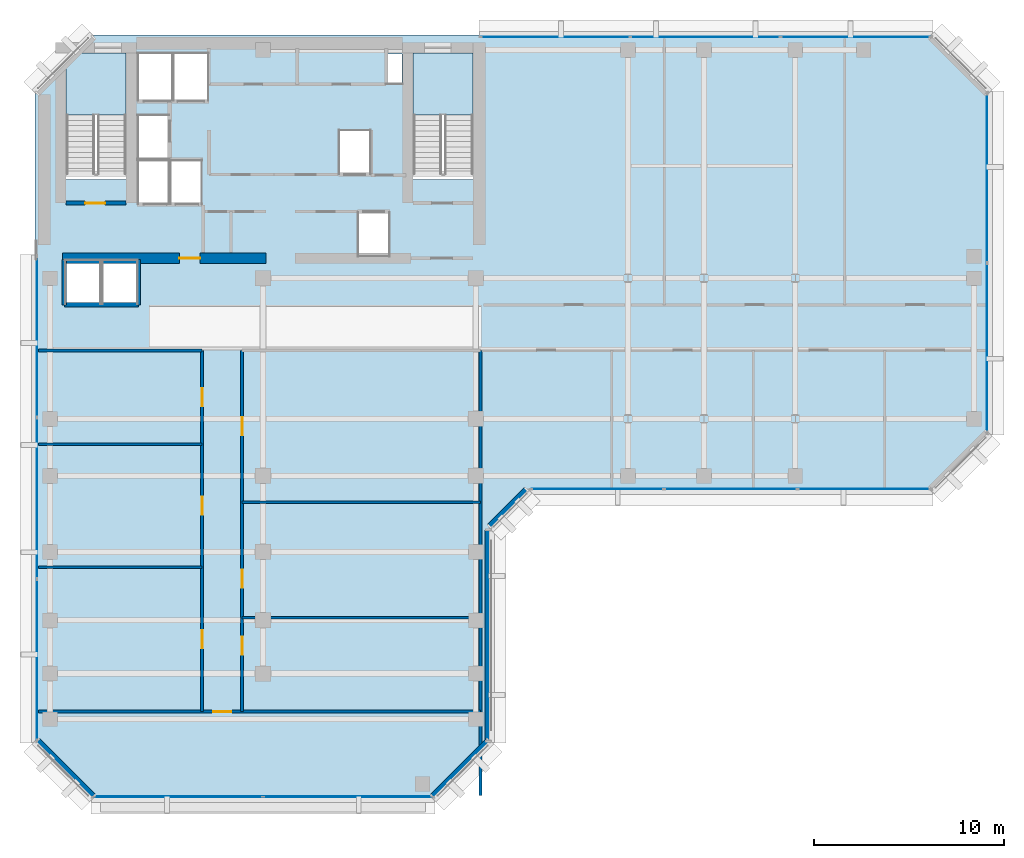
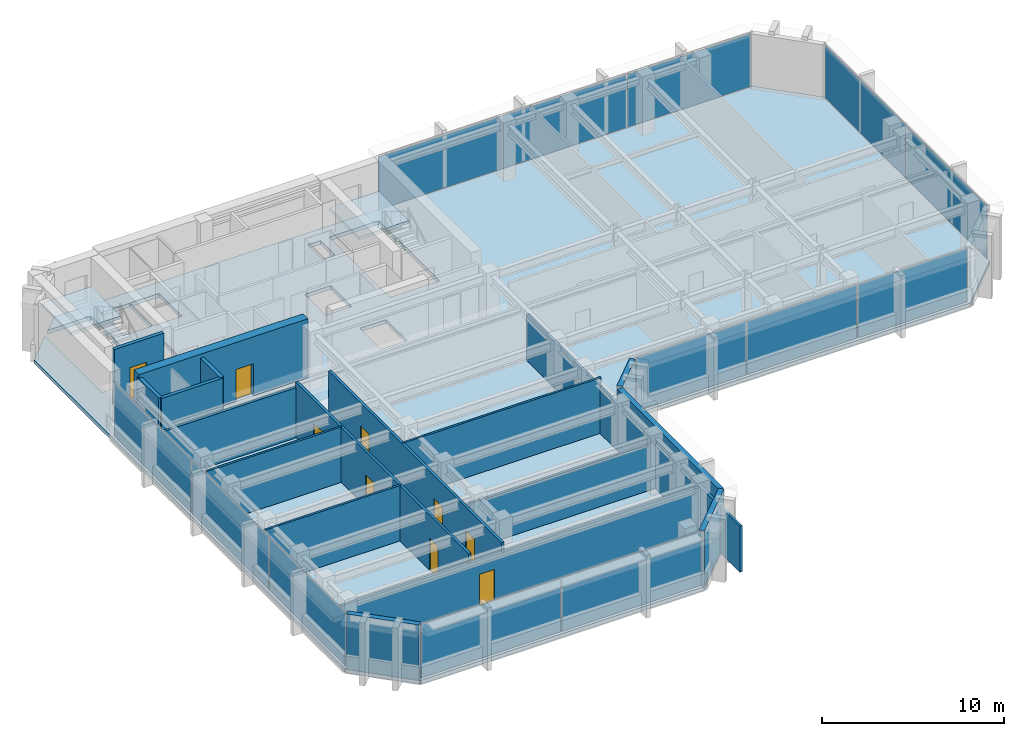
# One storey, part 6 of 12: 18 walls, 13 plates, 9 doors, 3 slabs, 9 openings, 7 elements without a shape of their own.
"""IFC4 building model written with IfcOpenShell, lengths in metres."""

from ifc_helpers import new_model, si_unit, direction, frame, frame_2d, origin, origin_2d, place, context, subcontext, project, spatial, polyline, rectangle, outline, extrude, material, layer, layer_set, type_object, element, fill, aggregate, save


model = new_model("IFC4")

# Units and contexts
model_context = context("Model", 3, precision=1e-05, world=origin(), true_north=direction((0.0, 1.0)))
body_context = subcontext(model_context, "Body", "Model", "MODEL_VIEW")
ifc_project = project(units=[si_unit("LENGTHUNIT", "METRE"), si_unit("AREAUNIT", "SQUARE_METRE"), si_unit("VOLUMEUNIT", "CUBIC_METRE"), si_unit("PLANEANGLEUNIT", "RADIAN"), si_unit("MASSUNIT", "GRAM", prefix="KILO")], contexts=[model_context])

# Site, building, storey
site_placement = place(None, origin())
site = spatial("IfcSite", under=ifc_project, at=site_placement, CompositionType="ELEMENT")
building_placement = place(site_placement, origin())
building = spatial("IfcBuilding", under=site, at=building_placement, Name="Kefirva Bronze Tower", CompositionType="ELEMENT")
storey_placement = place(building_placement, frame((0.0, 0.0, 260.3701171875)))
storey = spatial("IfcBuildingStorey", under=building, at=storey_placement, Name="L63", CompositionType="ELEMENT", Elevation=260.3701171875)

# Stair, slab
ifc_material_1 = material(Name="Concrete C40/50", Category="concrete")
stair_type = type_object("IfcStairType", Name="RC Dogleg Protected Stair 24R", PredefinedType="HALF_TURN_STAIR", material=ifc_material_1)
stair_1_placement = place(storey_placement, origin())
stair_1 = element("IfcStair", 1, at=stair_1_placement, inside=storey, type_object=stair_type, Name="L63 Protected Exit Stair 1", PredefinedType="HALF_TURN_STAIR")
ifc_layer_1 = layer(ifc_material_1, 0.199951171875, Name="Concrete C40/50")
ifc_layer_set_1 = layer_set([ifc_layer_1], Name="Concrete C40/50")
slab_type_1 = type_object("IfcSlabType", Name="RC Stair Landing Slab 200mm", PredefinedType="LANDING", material=ifc_layer_set_1)
slab_1_placement = place(storey_placement, frame((0.0, 0.0, 1.77978515625)))
slab_1 = element("IfcSlab", 2, at=slab_1_placement, type_object=slab_type_1, Name="ST-1 landing 1", PredefinedType="LANDING", context=body_context, shape_type="SweptSolid", body=[
    extrude(outline(polyline([(4.800048828125, 41.780029296875), (4.800048828125, 45.050048828125), (1.64990234375, 45.050048828125), (1.64990234375, 41.780029296875), (4.800048828125, 41.780029296875)])), origin(), (0.0, 0.0, 1.0), 0.2001953125),
])
aggregate(stair_1, [slab_1])

stair_2_placement = place(storey_placement, origin())
stair_2 = element("IfcStair", 3, at=stair_2_placement, inside=storey, type_object=stair_type, Name="L63 Protected Exit Stair 2", PredefinedType="HALF_TURN_STAIR")
slab_2_placement = place(storey_placement, frame((0.0, 0.0, 1.77978515625)))
slab_2 = element("IfcSlab", 4, at=slab_2_placement, type_object=slab_type_1, Name="ST-2 landing 1", PredefinedType="LANDING", context=body_context, shape_type="SweptSolid", body=[
    extrude(outline(polyline([(23.050048828125, 41.780029296875), (23.050048828125, 45.050048828125), (19.89990234375, 45.050048828125), (19.89990234375, 41.780029296875), (23.050048828125, 41.780029296875)])), origin(), (0.0, 0.0, 1.0), 0.2001953125),
])
aggregate(stair_2, [slab_2])

# Slab
ifc_layer_2 = layer(ifc_material_1, 0.25, Name="Concrete C40/50")
ifc_layer_set_2 = layer_set([ifc_layer_2], Name="Concrete C40/50")
slab_type_2 = type_object("IfcSlabType", Name="RC Tower Floor Slab 250mm", PredefinedType="FLOOR", material=ifc_layer_set_2)
slab_3_placement = place(storey_placement, frame((0.0, 0.0, -0.25)))
element("IfcSlab", 5, at=slab_3_placement, inside=storey, type_object=slab_type_2, Name="L63 Structural Floor Slab", PredefinedType="FLOOR", context=body_context, shape_type="SweptSolid", body=[
    extrude(outline(polyline([(0.0, 8.800048828125), (0.0, 43.0), (1.64990234375, 44.64990234375), (1.64990234375, 38.39990234375), (4.800048828125, 38.39990234375), (4.800048828125, 45.050048828125), (2.050048828125, 45.050048828125), (3.0, 46.0), (47.199951171875, 46.0), (50.199951171875, 43.0), (50.199951171875, 25.0), (47.199951171875, 22.0), (26.0, 22.0), (24.0, 20.0), (24.0, 8.800048828125), (21.0, 5.800048828125), (3.0, 5.800048828125), (0.0, 8.800048828125)]), holes=[polyline([(23.050048828125, 45.050048828125), (19.89990234375, 45.050048828125), (19.89990234375, 38.39990234375), (23.050048828125, 38.39990234375), (23.050048828125, 45.050048828125)]), polyline([(19.320068359375, 43.419921875), (19.320068359375, 45.0), (18.52001953125, 45.0), (18.52001953125, 43.419921875), (19.320068359375, 43.419921875)]), polyline([(18.64990234375, 36.64990234375), (17.0, 36.64990234375), (17.0, 34.35009765625), (18.64990234375, 34.35009765625), (18.64990234375, 36.64990234375)]), polyline([(17.64990234375, 38.679931640625), (17.64990234375, 40.97998046875), (16.0, 40.97998046875), (16.0, 38.679931640625), (17.64990234375, 38.679931640625)]), polyline([(9.1201171875, 42.550048828125), (9.1201171875, 45.050048828125), (7.300048828125, 45.050048828125), (7.300048828125, 42.550048828125), (9.1201171875, 42.550048828125)]), polyline([(8.780029296875, 37.10009765625), (8.780029296875, 39.39990234375), (7.139892578125, 39.39990234375), (7.139892578125, 37.10009765625), (8.780029296875, 37.10009765625)]), polyline([(7.239990234375, 42.550048828125), (7.239990234375, 45.050048828125), (5.419921875, 45.050048828125), (5.419921875, 42.550048828125), (7.239990234375, 42.550048828125)]), polyline([(7.06005859375, 37.10009765625), (7.06005859375, 39.39990234375), (5.419921875, 39.39990234375), (5.419921875, 37.10009765625), (7.06005859375, 37.10009765625)]), polyline([(7.06005859375, 41.780029296875), (5.419921875, 41.780029296875), (5.419921875, 39.47998046875), (7.06005859375, 39.47998046875), (7.06005859375, 41.780029296875)]), polyline([(5.39990234375, 31.85009765625), (5.39990234375, 34.14990234375), (3.550048828125, 34.14990234375), (3.550048828125, 31.85009765625), (5.39990234375, 31.85009765625)]), polyline([(3.449951171875, 34.14990234375), (1.60009765625, 34.14990234375), (1.60009765625, 31.85009765625), (3.449951171875, 31.85009765625), (3.449951171875, 34.14990234375)])]), origin(), (0.0, 0.0, 1.0), 0.25),
])

# Curtain wall, plates
ifc_material_2 = material(Name="Bronze anodised aluminium", Category="aluminium")
ifc_layer_3 = layer(ifc_material_2, 0.179931640625, Name="Bronze anodised aluminium")
ifc_layer_set_3 = layer_set([ifc_layer_3], Name="Bronze anodised aluminium")
curtain_wall_type = type_object("IfcCurtainWallType", Name="Unitised Bronze Ribbon Curtain Wall Zone 3", PredefinedType="USERDEFINED", material=ifc_layer_set_3)
curtain_wall_1_placement = place(storey_placement, origin())
curtain_wall_1 = element("IfcCurtainWall", 6, at=curtain_wall_1_placement, inside=storey, type_object=curtain_wall_type, Name="L63 Curtain Wall 1", ObjectType="UNITISED CURTAIN WALL", PredefinedType="USERDEFINED")
ifc_material_3 = material(Name="Laminated low-E double glazing", Category="glass")
ifc_layer_4 = layer(ifc_material_3, 0.031982421875, Name="Laminated low-E double glazing")
ifc_layer_set_4 = layer_set([ifc_layer_4], Name="Laminated low-E double glazing")
plate_type = type_object("IfcPlateType", Name="Solar-Control Low-E Vision Panel 32mm", PredefinedType="CURTAIN_PANEL", material=ifc_layer_set_4)
plate_1_placement = place(storey_placement, frame((7.546142578125, 5.919921875, 0.074951171875), z_axis=(0.0, 0.0, 1.0), x_axis=(1.0, 0.0, 0.0)))
plate_1 = element("IfcPlate", 7, at=plate_1_placement, type_object=plate_type, Name="CW-03 panel 1.1", PredefinedType="CURTAIN_PANEL", context=body_context, shape_type="SweptSolid", body=[
    extrude(rectangle(XDim=8.83251953125, YDim=0.031982421875, at=origin_2d()), origin(), (0.0, 0.0, 1.0), 3.56005859375),
])
plate_2_placement = place(storey_placement, frame((16.453857421875, 5.919921875, 0.074951171875), z_axis=(0.0, 0.0, 1.0), x_axis=(1.0, 0.0, 0.0)))
plate_2 = element("IfcPlate", 8, at=plate_2_placement, type_object=plate_type, Name="CW-03 panel 2.1", PredefinedType="CURTAIN_PANEL", context=body_context, shape_type="SweptSolid", body=[
    extrude(rectangle(XDim=8.83251953125, YDim=0.031982421875, at=origin_2d()), origin(), (0.0, 0.0, 1.0), 3.56005859375),
])
aggregate(curtain_wall_1, [plate_1, plate_2])

curtain_wall_2_placement = place(storey_placement, origin())
curtain_wall_2 = element("IfcCurtainWall", 9, at=curtain_wall_2_placement, inside=storey, type_object=curtain_wall_type, Name="L63 Curtain Wall 2", ObjectType="UNITISED CURTAIN WALL", PredefinedType="USERDEFINED")
plate_3_placement = place(storey_placement, frame((29.5888671875, 22.1201171875, 0.074951171875), z_axis=(0.0, 0.0, 1.0), x_axis=(1.0, 0.0, 0.0)))
plate_3 = element("IfcPlate", 10, at=plate_3_placement, type_object=plate_type, Name="CW-03 panel 1.1", PredefinedType="CURTAIN_PANEL", context=body_context, shape_type="SweptSolid", body=[
    extrude(rectangle(XDim=6.91748046875, YDim=0.031982421875, at=origin_2d()), origin(), (0.0, 0.0, 1.0), 3.56005859375),
])
plate_4_placement = place(storey_placement, frame((36.60009765625, 22.1201171875, 0.074951171875), z_axis=(0.0, 0.0, 1.0), x_axis=(1.0, 0.0, 0.0)))
plate_4 = element("IfcPlate", 11, at=plate_4_placement, type_object=plate_type, Name="CW-03 panel 2.1", PredefinedType="CURTAIN_PANEL", context=body_context, shape_type="SweptSolid", body=[
    extrude(rectangle(XDim=6.955078125, YDim=0.031982421875, at=origin_2d()), origin(), (0.0, 0.0, 1.0), 3.56005859375),
])
plate_5_placement = place(storey_placement, frame((43.611328125, 22.1201171875, 0.074951171875), z_axis=(0.0, 0.0, 1.0), x_axis=(1.0, 0.0, 0.0)))
plate_5 = element("IfcPlate", 12, at=plate_5_placement, type_object=plate_type, Name="CW-03 panel 3.1", PredefinedType="CURTAIN_PANEL", context=body_context, shape_type="SweptSolid", body=[
    extrude(rectangle(XDim=6.91748046875, YDim=0.031982421875, at=origin_2d()), origin(), (0.0, 0.0, 1.0), 3.56005859375),
])
aggregate(curtain_wall_2, [plate_3, plate_4, plate_5])

curtain_wall_3_placement = place(storey_placement, origin())
curtain_wall_3 = element("IfcCurtainWall", 13, at=curtain_wall_3_placement, inside=storey, type_object=curtain_wall_type, Name="L63 Curtain Wall 3", ObjectType="UNITISED CURTAIN WALL", PredefinedType="USERDEFINED")
plate_6_placement = place(storey_placement, frame((50.080078125, 29.546142578125, 0.074951171875), z_axis=(0.0, 0.0, 1.0), x_axis=(0.0, 1.0, 0.0)))
plate_6 = element("IfcPlate", 14, at=plate_6_placement, type_object=plate_type, Name="CW-03 panel 1.1", PredefinedType="CURTAIN_PANEL", context=body_context, shape_type="SweptSolid", body=[
    extrude(rectangle(XDim=8.83251953125, YDim=0.031982421875, at=origin_2d()), origin(), (0.0, 0.0, 1.0), 3.56005859375),
])
plate_7_placement = place(storey_placement, frame((50.080078125, 38.453857421875, 0.074951171875), z_axis=(0.0, 0.0, 1.0), x_axis=(0.0, 1.0, 0.0)))
plate_7 = element("IfcPlate", 15, at=plate_7_placement, type_object=plate_type, Name="CW-03 panel 2.1", PredefinedType="CURTAIN_PANEL", context=body_context, shape_type="SweptSolid", body=[
    extrude(rectangle(XDim=8.83251953125, YDim=0.031982421875, at=origin_2d()), origin(), (0.0, 0.0, 1.0), 3.56005859375),
])
aggregate(curtain_wall_3, [plate_6, plate_7])

curtain_wall_4_placement = place(storey_placement, origin())
curtain_wall_4 = element("IfcCurtainWall", 16, at=curtain_wall_4_placement, inside=storey, type_object=curtain_wall_type, Name="L63 Curtain Wall 4", ObjectType="UNITISED CURTAIN WALL", PredefinedType="USERDEFINED")
plate_8_placement = place(storey_placement, frame((43.169677734375, 45.8798828125, 0.074951171875), z_axis=(0.0, 0.0, 1.0), x_axis=(-1.0, 0.0, 0.0)))
plate_8 = element("IfcPlate", 17, at=plate_8_placement, type_object=plate_type, Name="CW-03 panel 1.1", PredefinedType="CURTAIN_PANEL", context=body_context, shape_type="SweptSolid", body=[
    extrude(rectangle(XDim=7.80078125, YDim=0.031982421875, at=origin_2d()), origin(), (0.0, 0.0, 1.0), 3.56005859375),
])
plate_9_placement = place(storey_placement, frame((35.27490234375, 45.8798828125, 0.074951171875), z_axis=(0.0, 0.0, 1.0), x_axis=(-1.0, 0.0, 0.0)))
plate_9 = element("IfcPlate", 18, at=plate_9_placement, type_object=plate_type, Name="CW-03 panel 2.1", PredefinedType="CURTAIN_PANEL", context=body_context, shape_type="SweptSolid", body=[
    extrude(rectangle(XDim=7.83837890625, YDim=0.031982421875, at=origin_2d()), origin(), (0.0, 0.0, 1.0), 3.56005859375),
])
plate_10_placement = place(storey_placement, frame((27.38037109375, 45.8798828125, 0.074951171875), z_axis=(0.0, 0.0, 1.0), x_axis=(-1.0, 0.0, 0.0)))
plate_10 = element("IfcPlate", 19, at=plate_10_placement, type_object=plate_type, Name="CW-03 panel 3.1", PredefinedType="CURTAIN_PANEL", context=body_context, shape_type="SweptSolid", body=[
    extrude(rectangle(XDim=7.80078125, YDim=0.031982421875, at=origin_2d()), origin(), (0.0, 0.0, 1.0), 3.56005859375),
])
aggregate(curtain_wall_4, [plate_8, plate_9, plate_10])

curtain_wall_5_placement = place(storey_placement, origin())
curtain_wall_5 = element("IfcCurtainWall", 20, at=curtain_wall_5_placement, inside=storey, type_object=curtain_wall_type, Name="L63 Curtain Wall 5", ObjectType="UNITISED CURTAIN WALL", PredefinedType="USERDEFINED")
plate_11_placement = place(storey_placement, frame((0.1201171875, 30.11962890625, 0.074951171875), z_axis=(0.0, 0.0, 1.0), x_axis=(0.0, -1.0, 0.0)))
plate_11 = element("IfcPlate", 21, at=plate_11_placement, type_object=plate_type, Name="CW-03 panel 1.1", PredefinedType="CURTAIN_PANEL", context=body_context, shape_type="SweptSolid", body=[
    extrude(rectangle(XDim=8.40087890625, YDim=0.031982421875, at=origin_2d()), origin(), (0.0, 0.0, 1.0), 3.56005859375),
])
plate_12_placement = place(storey_placement, frame((0.1201171875, 21.625, 0.074951171875), z_axis=(0.0, 0.0, 1.0), x_axis=(0.0, -1.0, 0.0)))
plate_12 = element("IfcPlate", 22, at=plate_12_placement, type_object=plate_type, Name="CW-03 panel 2.1", PredefinedType="CURTAIN_PANEL", context=body_context, shape_type="SweptSolid", body=[
    extrude(rectangle(XDim=8.438232421875, YDim=0.031982421875, at=origin_2d()), origin(), (0.0, 0.0, 1.0), 3.56005859375),
])
plate_13_placement = place(storey_placement, frame((0.1201171875, 13.13037109375, 0.074951171875), z_axis=(0.0, 0.0, 1.0), x_axis=(0.0, -1.0, 0.0)))
plate_13 = element("IfcPlate", 23, at=plate_13_placement, type_object=plate_type, Name="CW-03 panel 3.1", PredefinedType="CURTAIN_PANEL", context=body_context, shape_type="SweptSolid", body=[
    extrude(rectangle(XDim=8.40087890625, YDim=0.031982421875, at=origin_2d()), origin(), (0.0, 0.0, 1.0), 3.56005859375),
])
aggregate(curtain_wall_5, [plate_11, plate_12, plate_13])

# Walls
ifc_material_4 = material(Name="Gypsum acoustic partition")
ifc_layer_5 = layer(ifc_material_4, 0.1298828125, Name="Gypsum acoustic partition")
ifc_layer_set_5 = layer_set([ifc_layer_5], Name="Gypsum acoustic partition")
wall_type_1 = type_object("IfcWallType", Name="Acoustic Office Partition 130mm", PredefinedType="PARTITIONING", material=ifc_layer_set_5)
for number, where, z_axis, x_axis, name in (
    (24, (0.18994140625, 18.0, 0.0), (0.0, 0.0, 1.0), (1.0, 0.0, 0.0), "L63 Partition W-L63-SWD1"),
    (25, (0.18994140625, 24.4599609375, 0.0), (0.0, 0.0, 1.0), (1.0, 0.0, 0.0), "L63 Partition W-L63-SWD2"),
):
    element("IfcWall", number, at=place(storey_placement, frame(where, z_axis=z_axis, x_axis=x_axis)), inside=storey, type_object=wall_type_1, Name=name, PredefinedType="PARTITIONING", context=body_context, shape_type="SweptSolid", body=[
        extrude(rectangle(XDim=8.610107421875, YDim=0.1298828125, at=frame_2d((4.30517578125, 0.0))), origin(), (0.0, 0.0, 1.0), 3.7099609375),
    ])
wall_1_placement = place(storey_placement, frame((10.89990234375, 15.340087890625, 0.0), z_axis=(0.0, 0.0, 1.0), x_axis=(1.0, 0.0, 0.0)))
element("IfcWall", 26, at=wall_1_placement, inside=storey, type_object=wall_type_1, Name="L63 Partition W-L63-SED1", PredefinedType="PARTITIONING", context=body_context, shape_type="SweptSolid", body=[
    extrude(rectangle(XDim=12.550048828125, YDim=0.1298828125, at=frame_2d((6.27490234375, 0.0))), origin(), (0.0, 0.0, 1.0), 3.094970703125),
])
wall_2_placement = place(storey_placement, frame((10.89990234375, 21.419921875, 0.0), z_axis=(0.0, 0.0, 1.0), x_axis=(1.0, 0.0, 0.0)))
element("IfcWall", 27, at=wall_2_placement, inside=storey, type_object=wall_type_1, Name="L63 Partition W-L63-SED2", PredefinedType="PARTITIONING", context=body_context, shape_type="SweptSolid", body=[
    extrude(rectangle(XDim=12.550048828125, YDim=0.1298828125, at=frame_2d((6.27490234375, 0.0))), origin(), (0.0, 0.0, 1.0), 3.7099609375),
])

# Wall, opening, door
ifc_material_5 = material(Name="Gypsum fireboard shaftwall")
ifc_layer_6 = layer(ifc_material_5, 0.219970703125, Name="Gypsum fireboard shaftwall")
ifc_layer_set_6 = layer_set([ifc_layer_6], Name="Gypsum fireboard shaftwall")
wall_type_2 = type_object("IfcWallType", Name="Fire-Rated Shaft Enclosure Wall 220mm", PredefinedType="PARTITIONING", material=ifc_layer_set_6)
wall_3_placement = place(storey_placement, frame((1.64990234375, 37.14990234375, 0.0), z_axis=(0.0, 0.0, 1.0), x_axis=(1.0, 0.0, 0.0)))
wall_3 = element("IfcWall", 28, at=wall_3_placement, inside=storey, type_object=wall_type_2, Name="L63 Partition W-L63-ST1S", PredefinedType="PARTITIONING", context=body_context, shape_type="SweptSolid", body=[
    extrude(rectangle(XDim=3.150146484375, YDim=0.219970703125, at=frame_2d((1.5751953125, 0.0))), origin(), (0.0, 0.0, 1.0), 3.7099609375),
])
opening_1_placement = place(wall_3_placement, frame((2.050048828125, 0.0, 0.0), z_axis=(0.0, 0.0, 1.0), x_axis=(-1.0, 0.0, 0.0)))
opening_1 = element("IfcOpeningElement", 29, at=opening_1_placement, cuts=wall_3, Name="Opening L63-D001", PredefinedType="OPENING", context=body_context, shape_type="SweptSolid", body=[
    extrude(rectangle(XDim=1.050048828125, YDim=2.14990234375, at=frame_2d((0.52490234375, 1.074951171875))), frame((0.0, 0.1201171875, 0.0), z_axis=(0.0, -1.0, 0.0), x_axis=(1.0, 0.0, 0.0)), (0.0, 0.0, 1.0), 0.239990234375),
])
ifc_material_6 = material(Name="Painted galvanized steel", Category="steel")
door_type_1 = type_object("IfcDoorType", Name="Fire Stair Enclosure Door 1050x2150 FD90S", OperationType="NOTDEFINED", PredefinedType="DOOR", material=ifc_material_6)
door_1_placement = place(opening_1_placement, origin())
door_1 = element("IfcDoor", 30, at=door_1_placement, inside=storey, type_object=door_type_1, Name="Door L63-D001", OperationType="SINGLE_SWING_LEFT", OverallHeight=2.14990234375, OverallWidth=1.050048828125, PredefinedType="DOOR", context=body_context, shape_type="SweptSolid", body=[
    extrude(rectangle(XDim=1.050048828125, YDim=2.14990234375, at=frame_2d((0.52490234375, 1.074951171875))), frame((0.0, 0.02490234375, 0.0), z_axis=(0.0, -1.0, 0.0), x_axis=(1.0, 0.0, 0.0)), (0.0, 0.0, 1.0), 0.050048828125),
])
fill(opening_1, door_1)

# Walls
wall_4_placement = place(storey_placement, frame((1.550048828125, 31.800048828125, 0.0), z_axis=(0.0, 0.0, 1.0), x_axis=(1.0, 0.0, 0.0)))
element("IfcWall", 31, at=wall_4_placement, inside=storey, type_object=wall_type_2, Name="L63 Partition W-L63-OBS", PredefinedType="PARTITIONING", context=body_context, shape_type="SweptSolid", body=[
    extrude(rectangle(XDim=3.89990234375, YDim=0.219970703125, at=frame_2d((1.949951171875, 0.0))), origin(), (0.0, 0.0, 1.0), 3.7099609375),
])
for number, where, z_axis, x_axis, name in (
    (32, (1.550048828125, 31.800048828125, 0.0), (0.0, 0.0, 1.0), (0.0, 1.0, 0.0), "L63 Partition W-L63-OBW"),
    (33, (5.449951171875, 31.800048828125, 0.0), (0.0, 0.0, 1.0), (0.0, 1.0, 0.0), "L63 Partition W-L63-OBE"),
):
    element("IfcWall", number, at=place(storey_placement, frame(where, z_axis=z_axis, x_axis=x_axis)), inside=storey, type_object=wall_type_2, Name=name, PredefinedType="PARTITIONING", context=body_context, shape_type="SweptSolid", body=[
        extrude(rectangle(XDim=2.3798828125, YDim=0.219970703125, at=frame_2d((1.18994140625, 0.0))), origin(), (0.0, 0.0, 1.0), 3.7099609375),
    ])
ifc_material_7 = material(Name="Precast concrete C40/50", Category="concrete")
ifc_layer_7 = layer(ifc_material_7, 0.320068359375, Name="Precast concrete C40/50")
ifc_layer_set_7 = layer_set([ifc_layer_7], Name="Precast concrete C40/50")
wall_type_3 = type_object("IfcWallType", Name="Precast Insulated Exterior Wall 320mm", PredefinedType="SOLIDWALL", material=ifc_layer_set_7)
wall_5_placement = place(storey_placement, frame((20.92578125, 5.951904296875, 0.0), z_axis=(0.0, 0.0, 1.0), x_axis=(0.707077242712, 0.707136318428, 0.0)))
element("IfcWall", 34, at=wall_5_placement, inside=storey, type_object=wall_type_3, Name="L63 Exterior Facade Wall 1", PredefinedType="SOLIDWALL", context=body_context, shape_type="SweptSolid", body=[
    extrude(rectangle(XDim=4.132568359375, YDim=0.320068359375, at=frame_2d((2.06640625, 0.0))), origin(), (0.0, 0.0, 1.0), 3.7099609375),
])
wall_6_placement = place(storey_placement, frame((23.840087890625, 8.85498046875, 0.0), z_axis=(0.0, 0.0, 1.0), x_axis=(0.0, 1.0, 0.0)))
element("IfcWall", 35, at=wall_6_placement, inside=storey, type_object=wall_type_3, Name="L63 Exterior Facade Wall 2", PredefinedType="SOLIDWALL", context=body_context, shape_type="SweptSolid", body=[
    extrude(rectangle(XDim=11.090087890625, YDim=0.320068359375, at=frame_2d((5.544921875, 0.0))), origin(), (0.0, 0.0, 1.0), 3.7099609375),
])
wall_7_placement = place(storey_placement, frame((23.92578125, 20.152099609375, 0.0), z_axis=(0.0, 0.0, 1.0), x_axis=(0.707106781187, 0.707106781187, 0.0)))
element("IfcWall", 36, at=wall_7_placement, inside=storey, type_object=wall_type_3, Name="L63 Exterior Facade Wall 3", PredefinedType="SOLIDWALL", context=body_context, shape_type="SweptSolid", body=[
    extrude(rectangle(XDim=2.71826171875, YDim=0.320068359375, at=frame_2d((1.359130859375, 0.0))), origin(), (0.0, 0.0, 1.0), 3.7099609375),
])
wall_8_placement = place(storey_placement, frame((0.152099609375, 8.874267578125, 0.0), z_axis=(0.0, 0.0, 1.0), x_axis=(0.707077242712, -0.707136318428, 0.0)))
element("IfcWall", 37, at=wall_8_placement, inside=storey, type_object=wall_type_3, Name="L63 Exterior Facade Wall 7", PredefinedType="SOLIDWALL", context=body_context, shape_type="SweptSolid", body=[
    extrude(rectangle(XDim=4.132568359375, YDim=0.320068359375, at=frame_2d((2.06640625, 0.0))), origin(), (0.0, 0.0, 1.0), 3.7099609375),
])

# Wall, openings, doors
ifc_layer_8 = layer(ifc_material_4, 0.159912109375, Name="Gypsum acoustic partition")
ifc_layer_set_8 = layer_set([ifc_layer_8], Name="Gypsum acoustic partition")
wall_type_4 = type_object("IfcWallType", Name="Protected Corridor Partition 160mm", PredefinedType="PARTITIONING", material=ifc_layer_set_8)
wall_9_placement = place(storey_placement, frame((8.800048828125, 10.39990234375, 0.0), z_axis=(0.0, 0.0, 1.0), x_axis=(0.0, 1.0, 0.0)))
wall_9 = element("IfcWall", 38, at=wall_9_placement, inside=storey, type_object=wall_type_4, Name="L63 Partition W-L63-SWCORW", PredefinedType="PARTITIONING", context=body_context, shape_type="SweptSolid", body=[
    extrude(rectangle(XDim=19.0, YDim=0.159912109375, at=frame_2d((9.5, 0.0))), origin(), (0.0, 0.0, 1.0), 3.7099609375),
])
opening_2_placement = place(wall_9_placement, frame((4.27490234375, 0.0, 0.0), z_axis=(0.0, 0.0, 1.0), x_axis=(-1.0, 0.0, 0.0)))
opening_2 = element("IfcOpeningElement", 39, at=opening_2_placement, cuts=wall_9, Name="Opening L63-D-SW1", PredefinedType="OPENING", context=body_context, shape_type="SweptSolid", body=[
    extrude(rectangle(XDim=0.949951171875, YDim=2.14990234375, at=frame_2d((0.47509765625, 1.074951171875))), frame((0.0, 0.08984375, 0.0), z_axis=(0.0, -1.0, 0.0), x_axis=(1.0, 0.0, 0.0)), (0.0, 0.0, 1.0), 0.179931640625),
])
opening_3_placement = place(wall_9_placement, frame((11.304931640625, 0.0, 0.0), z_axis=(0.0, 0.0, 1.0), x_axis=(-1.0, 0.0, 0.0)))
opening_3 = element("IfcOpeningElement", 40, at=opening_3_placement, cuts=wall_9, Name="Opening L63-D-SW2", PredefinedType="OPENING", context=body_context, shape_type="SweptSolid", body=[
    extrude(rectangle(XDim=0.949951171875, YDim=2.14990234375, at=frame_2d((0.47509765625, 1.074951171875))), frame((0.0, 0.08984375, 0.0), z_axis=(0.0, -1.0, 0.0), x_axis=(1.0, 0.0, 0.0)), (0.0, 0.0, 1.0), 0.179931640625),
])
opening_4_placement = place(wall_9_placement, frame((17.0048828125, 0.0, 0.0), z_axis=(0.0, 0.0, 1.0), x_axis=(-1.0, 0.0, 0.0)))
opening_4 = element("IfcOpeningElement", 41, at=opening_4_placement, cuts=wall_9, Name="Opening L63-D-SW3", PredefinedType="OPENING", context=body_context, shape_type="SweptSolid", body=[
    extrude(rectangle(XDim=0.949951171875, YDim=2.14990234375, at=frame_2d((0.47509765625, 1.074951171875))), frame((0.0, 0.08984375, 0.0), z_axis=(0.0, -1.0, 0.0), x_axis=(1.0, 0.0, 0.0)), (0.0, 0.0, 1.0), 0.179931640625),
])
ifc_material_8 = material(Name="Acoustic hardwood oak", Category="wood")
door_type_2 = type_object("IfcDoorType", Name="Office & Meeting Room Door 950x2150", OperationType="NOTDEFINED", PredefinedType="DOOR", material=ifc_material_8)
door_2_placement = place(opening_2_placement, origin())
door_2 = element("IfcDoor", 42, at=door_2_placement, inside=storey, type_object=door_type_2, Name="Door L63-D-SW1", OperationType="SINGLE_SWING_RIGHT", OverallHeight=2.14990234375, OverallWidth=0.949951171875, PredefinedType="DOOR", context=body_context, shape_type="SweptSolid", body=[
    extrude(rectangle(XDim=0.949951171875, YDim=2.14990234375, at=frame_2d((0.47509765625, 1.074951171875))), frame((0.0, 0.02490234375, 0.0), z_axis=(0.0, -1.0, 0.0), x_axis=(1.0, 0.0, 0.0)), (0.0, 0.0, 1.0), 0.050048828125),
])
fill(opening_2, door_2)
door_3_placement = place(opening_3_placement, origin())
door_3 = element("IfcDoor", 43, at=door_3_placement, inside=storey, type_object=door_type_2, Name="Door L63-D-SW2", OperationType="SINGLE_SWING_LEFT", OverallHeight=2.14990234375, OverallWidth=0.949951171875, PredefinedType="DOOR", context=body_context, shape_type="SweptSolid", body=[
    extrude(rectangle(XDim=0.949951171875, YDim=2.14990234375, at=frame_2d((0.47509765625, 1.074951171875))), frame((0.0, 0.02490234375, 0.0), z_axis=(0.0, -1.0, 0.0), x_axis=(1.0, 0.0, 0.0)), (0.0, 0.0, 1.0), 0.050048828125),
])
fill(opening_3, door_3)
door_4_placement = place(opening_4_placement, origin())
door_4 = element("IfcDoor", 44, at=door_4_placement, inside=storey, type_object=door_type_2, Name="Door L63-D-SW3", OperationType="SINGLE_SWING_RIGHT", OverallHeight=2.14990234375, OverallWidth=0.949951171875, PredefinedType="DOOR", context=body_context, shape_type="SweptSolid", body=[
    extrude(rectangle(XDim=0.949951171875, YDim=2.14990234375, at=frame_2d((0.47509765625, 1.074951171875))), frame((0.0, 0.02490234375, 0.0), z_axis=(0.0, -1.0, 0.0), x_axis=(1.0, 0.0, 0.0)), (0.0, 0.0, 1.0), 0.050048828125),
])
fill(opening_4, door_4)

wall_10_placement = place(storey_placement, frame((10.89990234375, 10.39990234375, 0.0), z_axis=(0.0, 0.0, 1.0), x_axis=(0.0, 1.0, 0.0)))
wall_10 = element("IfcWall", 45, at=wall_10_placement, inside=storey, type_object=wall_type_4, Name="L63 Partition W-L63-SECORE", PredefinedType="PARTITIONING", context=body_context, shape_type="SweptSolid", body=[
    extrude(rectangle(XDim=19.0, YDim=0.159912109375, at=frame_2d((9.5, 0.0))), origin(), (0.0, 0.0, 1.0), 3.7099609375),
])
opening_5_placement = place(wall_10_placement, frame((2.9951171875, 0.0, 0.0)))
opening_5 = element("IfcOpeningElement", 46, at=opening_5_placement, cuts=wall_10, Name="Opening L63-D-SE1", PredefinedType="OPENING", context=body_context, shape_type="SweptSolid", body=[
    extrude(rectangle(XDim=0.949951171875, YDim=2.14990234375, at=frame_2d((0.47509765625, 1.074951171875))), frame((0.0, 0.08984375, 0.0), z_axis=(0.0, -1.0, 0.0), x_axis=(1.0, 0.0, 0.0)), (0.0, 0.0, 1.0), 0.179931640625),
])
opening_6_placement = place(wall_10_placement, frame((6.5048828125, 0.0, 0.0)))
opening_6 = element("IfcOpeningElement", 47, at=opening_6_placement, cuts=wall_10, Name="Opening L63-D-SE2", PredefinedType="OPENING", context=body_context, shape_type="SweptSolid", body=[
    extrude(rectangle(XDim=0.949951171875, YDim=2.14990234375, at=frame_2d((0.47509765625, 1.074951171875))), frame((0.0, 0.08984375, 0.0), z_axis=(0.0, -1.0, 0.0), x_axis=(1.0, 0.0, 0.0)), (0.0, 0.0, 1.0), 0.179931640625),
])
opening_7_placement = place(wall_10_placement, frame((14.534912109375, 0.0, 0.0)))
opening_7 = element("IfcOpeningElement", 48, at=opening_7_placement, cuts=wall_10, Name="Opening L63-D-SE3", PredefinedType="OPENING", context=body_context, shape_type="SweptSolid", body=[
    extrude(rectangle(XDim=0.949951171875, YDim=2.14990234375, at=frame_2d((0.47509765625, 1.074951171875))), frame((0.0, 0.08984375, 0.0), z_axis=(0.0, -1.0, 0.0), x_axis=(1.0, 0.0, 0.0)), (0.0, 0.0, 1.0), 0.179931640625),
])
door_5_placement = place(opening_5_placement, origin())
door_5 = element("IfcDoor", 49, at=door_5_placement, inside=storey, type_object=door_type_2, Name="Door L63-D-SE1", OperationType="SINGLE_SWING_LEFT", OverallHeight=2.14990234375, OverallWidth=0.949951171875, PredefinedType="DOOR", context=body_context, shape_type="SweptSolid", body=[
    extrude(rectangle(XDim=0.949951171875, YDim=2.14990234375, at=frame_2d((0.47509765625, 1.074951171875))), frame((0.0, 0.02490234375, 0.0), z_axis=(0.0, -1.0, 0.0), x_axis=(1.0, 0.0, 0.0)), (0.0, 0.0, 1.0), 0.050048828125),
])
fill(opening_5, door_5)
door_6_placement = place(opening_6_placement, origin())
door_6 = element("IfcDoor", 50, at=door_6_placement, inside=storey, type_object=door_type_2, Name="Door L63-D-SE2", OperationType="SINGLE_SWING_RIGHT", OverallHeight=2.14990234375, OverallWidth=0.949951171875, PredefinedType="DOOR", context=body_context, shape_type="SweptSolid", body=[
    extrude(rectangle(XDim=0.949951171875, YDim=2.14990234375, at=frame_2d((0.47509765625, 1.074951171875))), frame((0.0, 0.02490234375, 0.0), z_axis=(0.0, -1.0, 0.0), x_axis=(1.0, 0.0, 0.0)), (0.0, 0.0, 1.0), 0.050048828125),
])
fill(opening_6, door_6)
door_7_placement = place(opening_7_placement, origin())
door_7 = element("IfcDoor", 51, at=door_7_placement, inside=storey, type_object=door_type_2, Name="Door L63-D-SE3", OperationType="SINGLE_SWING_LEFT", OverallHeight=2.14990234375, OverallWidth=0.949951171875, PredefinedType="DOOR", context=body_context, shape_type="SweptSolid", body=[
    extrude(rectangle(XDim=0.949951171875, YDim=2.14990234375, at=frame_2d((0.47509765625, 1.074951171875))), frame((0.0, 0.02490234375, 0.0), z_axis=(0.0, -1.0, 0.0), x_axis=(1.0, 0.0, 0.0)), (0.0, 0.0, 1.0), 0.050048828125),
])
fill(opening_7, door_7)

# Wall, opening, door
wall_11_placement = place(storey_placement, frame((0.18994140625, 10.39990234375, 0.0), z_axis=(0.0, 0.0, 1.0), x_axis=(1.0, 0.0, 0.0)))
wall_11 = element("IfcWall", 52, at=wall_11_placement, inside=storey, type_object=wall_type_4, Name="L63 Partition W-L63-SBEND", PredefinedType="PARTITIONING", context=body_context, shape_type="SweptSolid", body=[
    extrude(rectangle(XDim=23.260009765625, YDim=0.159912109375, at=frame_2d((11.6298828125, 0.0))), origin(), (0.0, 0.0, 1.0), 3.094970703125),
])
opening_8_placement = place(wall_11_placement, frame((9.18994140625, 0.0, 0.0)))
opening_8 = element("IfcOpeningElement", 53, at=opening_8_placement, cuts=wall_11, Name="Opening L63-D-SEND1", PredefinedType="OPENING", context=body_context, shape_type="SweptSolid", body=[
    extrude(rectangle(XDim=0.949951171875, YDim=2.14990234375, at=frame_2d((0.47509765625, 1.074951171875))), frame((0.0, 0.08984375, 0.0), z_axis=(0.0, -1.0, 0.0), x_axis=(1.0, 0.0, 0.0)), (0.0, 0.0, 1.0), 0.179931640625),
])
door_8_placement = place(opening_8_placement, origin())
door_8 = element("IfcDoor", 54, at=door_8_placement, inside=storey, type_object=door_type_2, Name="Door L63-D-SEND1", OperationType="SINGLE_SWING_LEFT", OverallHeight=2.14990234375, OverallWidth=0.949951171875, PredefinedType="DOOR", context=body_context, shape_type="SweptSolid", body=[
    extrude(rectangle(XDim=0.949951171875, YDim=2.14990234375, at=frame_2d((0.47509765625, 1.074951171875))), frame((0.0, 0.02490234375, 0.0), z_axis=(0.0, -1.0, 0.0), x_axis=(1.0, 0.0, 0.0)), (0.0, 0.0, 1.0), 0.050048828125),
])
fill(opening_8, door_8)

# Walls
wall_12_placement = place(storey_placement, frame((0.18994140625, 29.39990234375, 0.0), z_axis=(0.0, 0.0, 1.0), x_axis=(1.0, 0.0, 0.0)))
element("IfcWall", 55, at=wall_12_placement, inside=storey, type_object=wall_type_4, Name="L63 Partition W-L63-NWT", PredefinedType="PARTITIONING", context=body_context, shape_type="SweptSolid", body=[
    extrude(rectangle(XDim=8.610107421875, YDim=0.159912109375, at=frame_2d((4.30517578125, 0.0))), origin(), (0.0, 0.0, 1.0), 3.364990234375),
])
wall_13_placement = place(storey_placement, frame((23.449951171875, 5.989990234375, 0.0), z_axis=(0.0, 0.0, 1.0), x_axis=(0.0, 1.0, 0.0)))
element("IfcWall", 56, at=wall_13_placement, inside=storey, type_object=wall_type_4, Name="L63 Partition W-L63-SWEAST", PredefinedType="PARTITIONING", context=body_context, shape_type="SweptSolid", body=[
    extrude(rectangle(XDim=23.409912109375, YDim=0.159912109375, at=frame_2d((11.705078125, 0.0))), origin(), (0.0, 0.0, 1.0), 3.094970703125),
])

# Wall, opening, door
ifc_material_9 = material(Name="Concrete C50/60", Category="concrete")
ifc_layer_9 = layer(ifc_material_9, 0.64990234375, Name="Concrete C50/60")
ifc_layer_set_9 = layer_set([ifc_layer_9], Name="Concrete C50/60")
wall_type_5 = type_object("IfcWallType", Name="RC Rear Core Interior Wall 650mm", PredefinedType="SHEAR", material=ifc_layer_set_9)
wall_14_placement = place(storey_placement, frame((1.449951171875, 34.25, 0.0), z_axis=(0.0, 0.0, 1.0), x_axis=(1.0, 0.0, 0.0)))
wall_14 = element("IfcWall", 57, at=wall_14_placement, inside=storey, type_object=wall_type_5, Name="L63 Rear Core South-West Shear Wall", PredefinedType="SHEAR", context=body_context, shape_type="SweptSolid", body=[
    extrude(rectangle(XDim=10.7099609375, YDim=0.550048828125, at=frame_2d((5.35498046875, 0.0))), origin(), (0.0, 0.0, 1.0), 3.9599609375),
])
opening_9_placement = place(wall_14_placement, frame((7.25, 0.0, 0.0), z_axis=(0.0, 0.0, 1.0), x_axis=(-1.0, 0.0, 0.0)))
opening_9 = element("IfcOpeningElement", 58, at=opening_9_placement, cuts=wall_14, Name="Opening L63-D002", PredefinedType="OPENING", context=body_context, shape_type="SweptSolid", body=[
    extrude(rectangle(XDim=1.10009765625, YDim=2.14990234375, at=frame_2d((0.550048828125, 1.074951171875))), frame((0.0, 0.28515625, 0.0), z_axis=(0.0, -1.0, 0.0), x_axis=(1.0, 0.0, 0.0)), (0.0, 0.0, 1.0), 0.570068359375),
])
door_type_3 = type_object("IfcDoorType", Name="Firefighting Lobby Smoke Door 1100x2150 FD60S", OperationType="NOTDEFINED", PredefinedType="DOOR", material=ifc_material_6)
door_9_placement = place(opening_9_placement, origin())
door_9 = element("IfcDoor", 59, at=door_9_placement, inside=storey, type_object=door_type_3, Name="Door L63-D002", OperationType="SINGLE_SWING_RIGHT", OverallHeight=2.14990234375, OverallWidth=1.10009765625, PredefinedType="DOOR", context=body_context, shape_type="SweptSolid", body=[
    extrude(rectangle(XDim=1.10009765625, YDim=2.14990234375, at=frame_2d((0.550048828125, 1.074951171875))), frame((0.0, 0.02490234375, 0.0), z_axis=(0.0, -1.0, 0.0), x_axis=(1.0, 0.0, 0.0)), (0.0, 0.0, 1.0), 0.050048828125),
])
fill(opening_9, door_9)

save(model, "model.ifc")
